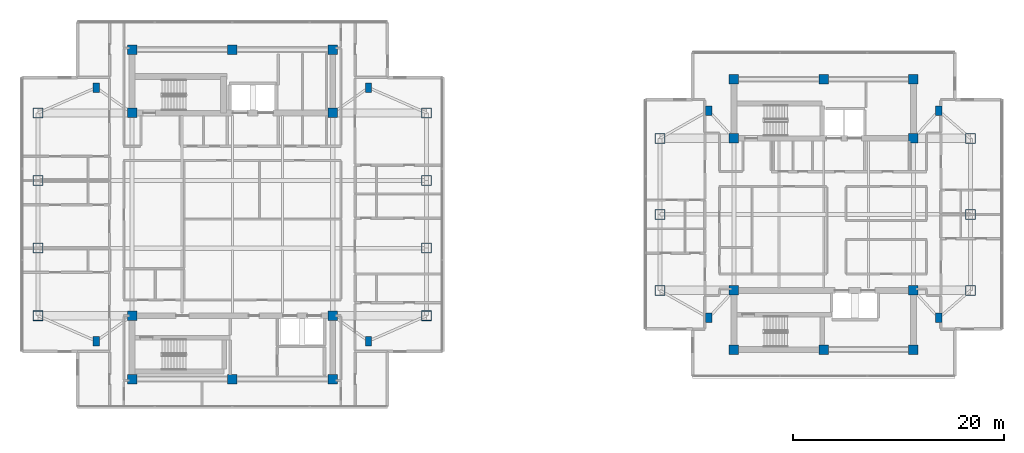
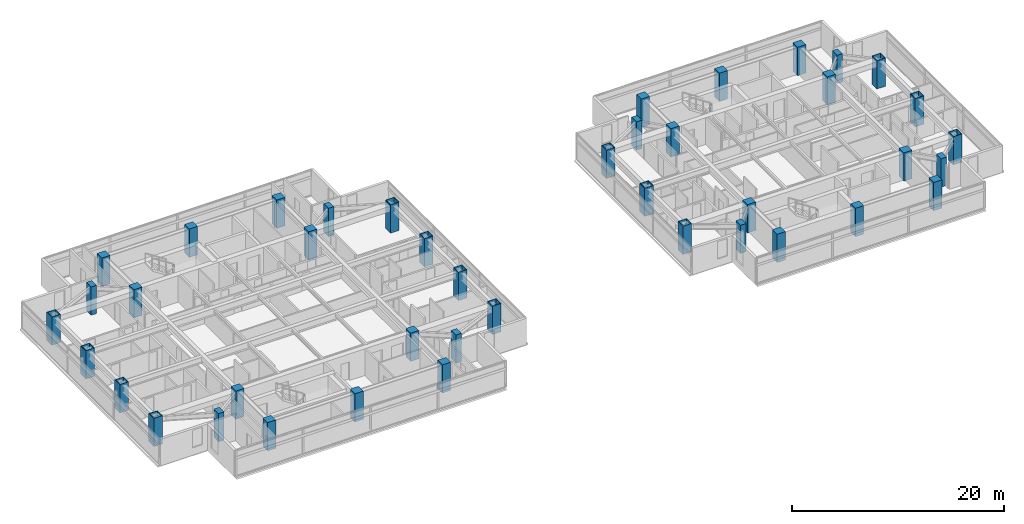
# One storey, part 1 of 24: 42 columns.
"""IFC4 building model written with IfcOpenShell, lengths in metres."""

from ifc_helpers import new_model, si_unit, direction, frame, origin, origin_2d, place, context, subcontext, project, spatial, rectangle, hollow_rectangle, extrude, material, material_profile, profile_set, type_object, element, save


model = new_model("IFC4")

# Units and contexts
model_context = context("Model", 3, precision=1e-05, world=origin(), true_north=direction((0.0, 1.0)))
body_context = subcontext(model_context, "Body", "Model", "MODEL_VIEW")
ifc_project = project(units=[si_unit("LENGTHUNIT", "METRE"), si_unit("AREAUNIT", "SQUARE_METRE"), si_unit("VOLUMEUNIT", "CUBIC_METRE"), si_unit("PLANEANGLEUNIT", "RADIAN"), si_unit("MASSUNIT", "GRAM", prefix="KILO")], contexts=[model_context])

# Site, building, storey
site_placement = place(None, origin())
site = spatial("IfcSite", under=ifc_project, at=site_placement, CompositionType="ELEMENT")
building_placement = place(site_placement, origin())
building = spatial("IfcBuilding", under=site, at=building_placement, Name="Mirazonda Arch Towers", CompositionType="ELEMENT")
storey_placement = place(building_placement, frame((0.0, 0.0, 190.14990234375)))
storey = spatial("IfcBuildingStorey", under=building, at=storey_placement, Name="L54", CompositionType="ELEMENT", Elevation=190.14990234375)

# Columns
ifc_material_1 = material(Name="Concrete C50/60", Category="concrete")
ifc_material_profile_1 = material_profile(ifc_material_1, rectangle(XDim=0.89990234375, YDim=0.89990234375, at=origin_2d()), Name="RC900x900")
ifc_profile_set_1 = profile_set([ifc_material_profile_1], Name="Concrete C50/60")
column_type_1 = type_object("IfcColumnType", Name="COL-INT-RC900x900", PredefinedType="COLUMN", material=ifc_profile_set_1)
for number, where, z_axis, x_axis, name in (
    (1, (11.0, 12.39990234375, 0.0), (0.0, 0.0, 1.0), (1.0, 0.0, 0.0), "L54 T1 Core Column 01"),
    (2, (20.5, 12.39990234375, 0.0), (0.0, 0.0, 1.0), (1.0, 0.0, 0.0), "L54 T1 Core Column 02"),
    (3, (30.0, 12.39990234375, 0.0), (0.0, 0.0, 1.0), (1.0, 0.0, 0.0), "L54 T1 Core Column 03"),
    (4, (11.0, 18.39990234375, 0.0), (0.0, 0.0, 1.0), (1.0, 0.0, 0.0), "L54 T1 Core Column 04"),
    (5, (30.0, 18.39990234375, 0.0), (0.0, 0.0, 1.0), (1.0, 0.0, 0.0), "L54 T1 Core Column 05"),
    (6, (11.0, 37.60009765625, 0.0), (0.0, 0.0, 1.0), (1.0, 0.0, 0.0), "L54 T1 Core Column 06"),
    (7, (30.0, 37.60009765625, 0.0), (0.0, 0.0, 1.0), (1.0, 0.0, 0.0), "L54 T1 Core Column 07"),
    (8, (11.0, 43.60009765625, 0.0), (0.0, 0.0, 1.0), (1.0, 0.0, 0.0), "L54 T1 Core Column 08"),
    (9, (20.5, 43.60009765625, 0.0), (0.0, 0.0, 1.0), (1.0, 0.0, 0.0), "L54 T1 Core Column 09"),
    (10, (30.0, 43.60009765625, 0.0), (0.0, 0.0, 1.0), (1.0, 0.0, 0.0), "L54 T1 Core Column 10"),
    (11, (68.0, 15.199951171875, 0.0), (0.0, 0.0, 1.0), (1.0, 0.0, 0.0), "L54 T2 Core Column 01"),
    (12, (76.5, 15.199951171875, 0.0), (0.0, 0.0, 1.0), (1.0, 0.0, 0.0), "L54 T2 Core Column 02"),
    (13, (85.0, 15.199951171875, 0.0), (0.0, 0.0, 1.0), (1.0, 0.0, 0.0), "L54 T2 Core Column 03"),
    (14, (68.0, 20.800048828125, 0.0), (0.0, 0.0, 1.0), (1.0, 0.0, 0.0), "L54 T2 Core Column 04"),
    (15, (85.0, 20.800048828125, 0.0), (0.0, 0.0, 1.0), (1.0, 0.0, 0.0), "L54 T2 Core Column 05"),
    (16, (68.0, 35.199951171875, 0.0), (0.0, 0.0, 1.0), (1.0, 0.0, 0.0), "L54 T2 Core Column 06"),
    (17, (85.0, 35.199951171875, 0.0), (0.0, 0.0, 1.0), (1.0, 0.0, 0.0), "L54 T2 Core Column 07"),
    (18, (68.0, 40.800048828125, 0.0), (0.0, 0.0, 1.0), (1.0, 0.0, 0.0), "L54 T2 Core Column 08"),
    (19, (76.5, 40.800048828125, 0.0), (0.0, 0.0, 1.0), (1.0, 0.0, 0.0), "L54 T2 Core Column 09"),
    (20, (85.0, 40.800048828125, 0.0), (0.0, 0.0, 1.0), (1.0, 0.0, 0.0), "L54 T2 Core Column 10"),
):
    element("IfcColumn", number, at=place(storey_placement, frame(where, z_axis=z_axis, x_axis=x_axis)), inside=storey, type_object=column_type_1, Name=name, PredefinedType="COLUMN", context=body_context, shape_type="SweptSolid", body=[
        extrude(rectangle(XDim=0.89990234375, YDim=0.89990234375, at=origin_2d()), origin(), (0.0, 0.0, 1.0), 3.25),
    ])
ifc_material_2 = material(Name="Steel ASTM A572 Grade 50", Category="steel")
ifc_material_profile_2 = material_profile(ifc_material_2, hollow_rectangle(XDim=0.949951171875, YDim=0.949951171875, WallThickness=0.050048828125, at=origin_2d()), Name="BOX950x950x50")
ifc_profile_set_2 = profile_set([ifc_material_profile_2], Name="Steel ASTM A572 Grade 50")
column_type_2 = type_object("IfcColumnType", Name="MCOL-EXT-BOX950x950x50", PredefinedType="COLUMN", material=ifc_profile_set_2)
for number, where, z_axis, x_axis, name in (
    (21, (2.10009765625, 18.39990234375, 0.0), (0.0, 0.0, 1.0), (1.0, 0.0, 0.0), "L54 T1 Composite Mega-Column 01"),
    (22, (2.10009765625, 24.800048828125, 0.0), (0.0, 0.0, 1.0), (1.0, 0.0, 0.0), "L54 T1 Composite Mega-Column 02"),
    (23, (2.10009765625, 31.199951171875, 0.0), (0.0, 0.0, 1.0), (1.0, 0.0, 0.0), "L54 T1 Composite Mega-Column 03"),
    (24, (2.10009765625, 37.60009765625, 0.0), (0.0, 0.0, 1.0), (1.0, 0.0, 0.0), "L54 T1 Composite Mega-Column 04"),
    (25, (38.89990234375, 18.39990234375, 0.0), (0.0, 0.0, 1.0), (1.0, 0.0, 0.0), "L54 T1 Composite Mega-Column 05"),
    (26, (38.89990234375, 24.800048828125, 0.0), (0.0, 0.0, 1.0), (1.0, 0.0, 0.0), "L54 T1 Composite Mega-Column 06"),
    (27, (38.89990234375, 31.199951171875, 0.0), (0.0, 0.0, 1.0), (1.0, 0.0, 0.0), "L54 T1 Composite Mega-Column 07"),
    (28, (38.89990234375, 37.60009765625, 0.0), (0.0, 0.0, 1.0), (1.0, 0.0, 0.0), "L54 T1 Composite Mega-Column 08"),
    (29, (61.0, 20.800048828125, 0.0), (0.0, 0.0, 1.0), (1.0, 0.0, 0.0), "L54 T2 Composite Mega-Column 01"),
    (30, (61.0, 28.0, 0.0), (0.0, 0.0, 1.0), (1.0, 0.0, 0.0), "L54 T2 Composite Mega-Column 02"),
    (31, (61.0, 35.199951171875, 0.0), (0.0, 0.0, 1.0), (1.0, 0.0, 0.0), "L54 T2 Composite Mega-Column 03"),
    (32, (90.39990234375, 20.800048828125, 0.0), (0.0, 0.0, 1.0), (1.0, 0.0, 0.0), "L54 T2 Composite Mega-Column 04"),
    (33, (90.39990234375, 28.0, 0.0), (0.0, 0.0, 1.0), (1.0, 0.0, 0.0), "L54 T2 Composite Mega-Column 05"),
    (34, (90.39990234375, 35.199951171875, 0.0), (0.0, 0.0, 1.0), (1.0, 0.0, 0.0), "L54 T2 Composite Mega-Column 06"),
):
    element("IfcColumn", number, at=place(storey_placement, frame(where, z_axis=z_axis, x_axis=x_axis)), inside=storey, type_object=column_type_2, Name=name, PredefinedType="COLUMN", context=body_context, shape_type="SweptSolid", body=[
        extrude(hollow_rectangle(XDim=0.949951171875, YDim=0.949951171875, WallThickness=0.050048828125, at=origin_2d()), origin(), (0.0, 0.0, 1.0), 3.25),
    ])
ifc_material_profile_3 = material_profile(ifc_material_1, rectangle(XDim=0.60009765625, YDim=0.89990234375, at=origin_2d()), Name="RC900x600")
ifc_profile_set_3 = profile_set([ifc_material_profile_3], Name="Concrete C50/60")
column_type_3 = type_object("IfcColumnType", Name="PIL-EXT-RC900x600", PredefinedType="PILASTER", material=ifc_profile_set_3)
for number, where, z_axis, x_axis, name in (
    (35, (7.60009765625, 16.0, 0.0), (0.0, 0.0, 1.0), (1.0, 0.0, 0.0), "L54 T1 Corner Pilaster 01"),
    (36, (33.39990234375, 16.0, 0.0), (0.0, 0.0, 1.0), (1.0, 0.0, 0.0), "L54 T1 Corner Pilaster 02"),
    (37, (7.60009765625, 40.0, 0.0), (0.0, 0.0, 1.0), (1.0, 0.0, 0.0), "L54 T1 Corner Pilaster 03"),
    (38, (33.39990234375, 40.0, 0.0), (0.0, 0.0, 1.0), (1.0, 0.0, 0.0), "L54 T1 Corner Pilaster 04"),
    (39, (65.60009765625, 18.199951171875, 0.0), (0.0, 0.0, 1.0), (1.0, 0.0, 0.0), "L54 T2 Corner Pilaster 01"),
    (40, (87.39990234375, 18.199951171875, 0.0), (0.0, 0.0, 1.0), (1.0, 0.0, 0.0), "L54 T2 Corner Pilaster 02"),
    (41, (65.60009765625, 37.800048828125, 0.0), (0.0, 0.0, 1.0), (1.0, 0.0, 0.0), "L54 T2 Corner Pilaster 03"),
    (42, (87.39990234375, 37.800048828125, 0.0), (0.0, 0.0, 1.0), (1.0, 0.0, 0.0), "L54 T2 Corner Pilaster 04"),
):
    element("IfcColumn", number, at=place(storey_placement, frame(where, z_axis=z_axis, x_axis=x_axis)), inside=storey, type_object=column_type_3, Name=name, PredefinedType="PILASTER", context=body_context, shape_type="SweptSolid", body=[
        extrude(rectangle(XDim=0.60009765625, YDim=0.89990234375, at=origin_2d()), origin(), (0.0, 0.0, 1.0), 3.25),
    ])

save(model, "model.ifc")
